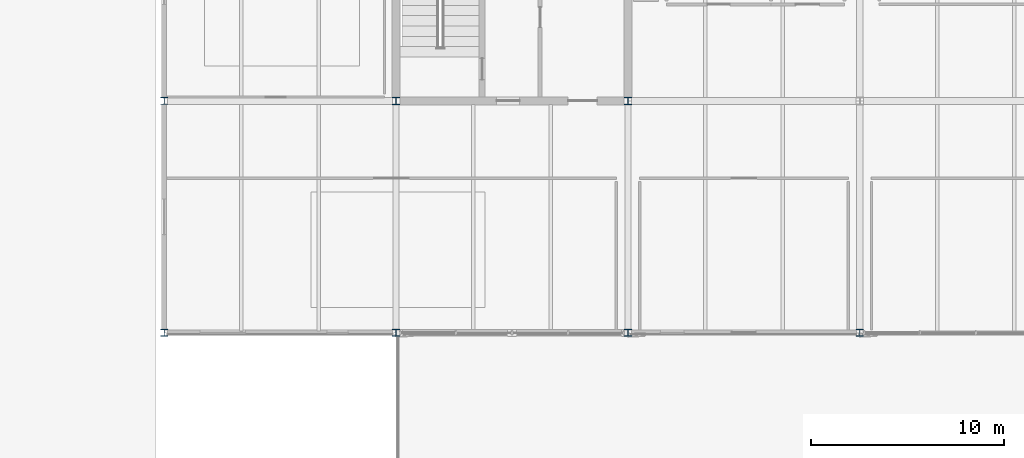
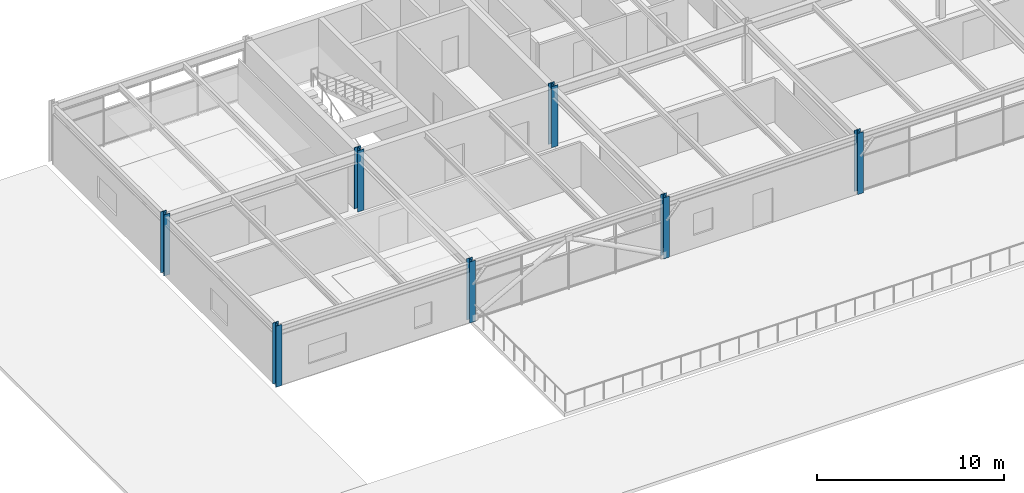
# One storey, part 1 of 30: 7 columns.
"""IFC4 building model written with IfcOpenShell, lengths in metres."""

from ifc_helpers import new_model, si_unit, direction, frame, origin, origin_2d, place, context, subcontext, project, spatial, i_section, extrude, material, material_profile, profile_set, type_object, element, save


model = new_model("IFC4")

# Units and contexts
model_context = context("Model", 3, precision=1e-05, world=origin(), true_north=direction((0.0, 1.0)))
body_context = subcontext(model_context, "Body", "Model", "MODEL_VIEW")
ifc_project = project(units=[si_unit("LENGTHUNIT", "METRE"), si_unit("AREAUNIT", "SQUARE_METRE"), si_unit("VOLUMEUNIT", "CUBIC_METRE"), si_unit("PLANEANGLEUNIT", "RADIAN"), si_unit("MASSUNIT", "GRAM", prefix="KILO")], contexts=[model_context])

# Site, building, storey
site_placement = place(None, origin())
site = spatial("IfcSite", under=ifc_project, at=site_placement, CompositionType="ELEMENT")
building_placement = place(site_placement, origin())
building = spatial("IfcBuilding", under=site, at=building_placement, Name="Girod Span Mobility Hub", CompositionType="ELEMENT")
storey_placement = place(building_placement, frame((0.0, 0.0, 49.60009765625)))
storey = spatial("IfcBuildingStorey", under=building, at=storey_placement, Name="L12", CompositionType="ELEMENT", Elevation=49.60009765625)

# Columns
ifc_material_1 = material(Name="Steel A992 Grade 50", Category="steel")
ifc_material_profile_1 = material_profile(ifc_material_1, i_section(OverallWidth=0.39404296875, OverallDepth=0.375, WebThickness=0.017333984375, FlangeThickness=0.027587890625, FilletRadius=0.01806640625, at=origin_2d()), Name="W14X145")
ifc_profile_set_1 = profile_set([ifc_material_profile_1], Name="Steel A992 Grade 50")
column_type_1 = type_object("IfcColumnType", Name="COL-STL-W14X145", PredefinedType="COLUMN", material=ifc_profile_set_1)
for number, where, z_axis, x_axis, name in (
    (1, (48.0, 57.0, 0.0), (0.0, 0.0, 1.0), (1.0, 0.0, 0.0), "Column 5E L12"),
    (2, (60.0, 57.0, 0.0), (0.0, 0.0, 1.0), (1.0, 0.0, 0.0), "Column 6E L12"),
):
    element("IfcColumn", number, at=place(storey_placement, frame(where, z_axis=z_axis, x_axis=x_axis)), inside=storey, type_object=column_type_1, Name=name, PredefinedType="COLUMN", context=body_context, shape_type="SweptSolid", body=[
        extrude(i_section(OverallWidth=0.39404296875, OverallDepth=0.375, WebThickness=0.017333984375, FlangeThickness=0.027587890625, FilletRadius=0.01806640625, at=origin_2d()), origin(), (0.0, 0.0, 1.0), 4.0),
    ])
ifc_material_2 = material(Name="Steel A992 Grade 50", Category="steel")
ifc_material_profile_2 = material_profile(ifc_material_2, i_section(OverallWidth=0.368896484375, OverallDepth=0.35595703125, WebThickness=0.01123046875, FlangeThickness=0.01806640625, FilletRadius=0.01806640625, at=origin_2d()), Name="W14X90")
ifc_profile_set_2 = profile_set([ifc_material_profile_2], Name="Steel A992 Grade 50")
column_type_2 = type_object("IfcColumnType", Name="COL-STL-W14X90", PredefinedType="COLUMN", material=ifc_profile_set_2)
for number, where, z_axis, x_axis, name in (
    (3, (36.0, 45.0, 0.0), (0.0, 0.0, 1.0), (1.0, 0.0, 0.0), "Column 4D L12"),
    (4, (36.0, 57.0, 0.0), (0.0, 0.0, 1.0), (1.0, 0.0, 0.0), "Column 4E L12"),
    (5, (48.0, 45.0, 0.0), (0.0, 0.0, 1.0), (1.0, 0.0, 0.0), "Column 5D L12"),
    (6, (60.0, 45.0, 0.0), (0.0, 0.0, 1.0), (1.0, 0.0, 0.0), "Column 6D L12"),
    (7, (72.0, 45.0, 0.0), (0.0, 0.0, 1.0), (1.0, 0.0, 0.0), "Column 7D L12"),
):
    element("IfcColumn", number, at=place(storey_placement, frame(where, z_axis=z_axis, x_axis=x_axis)), inside=storey, type_object=column_type_2, Name=name, PredefinedType="COLUMN", context=body_context, shape_type="SweptSolid", body=[
        extrude(i_section(OverallWidth=0.368896484375, OverallDepth=0.35595703125, WebThickness=0.01123046875, FlangeThickness=0.01806640625, FilletRadius=0.01806640625, at=origin_2d()), origin(), (0.0, 0.0, 1.0), 4.0),
    ])

save(model, "model.ifc")
